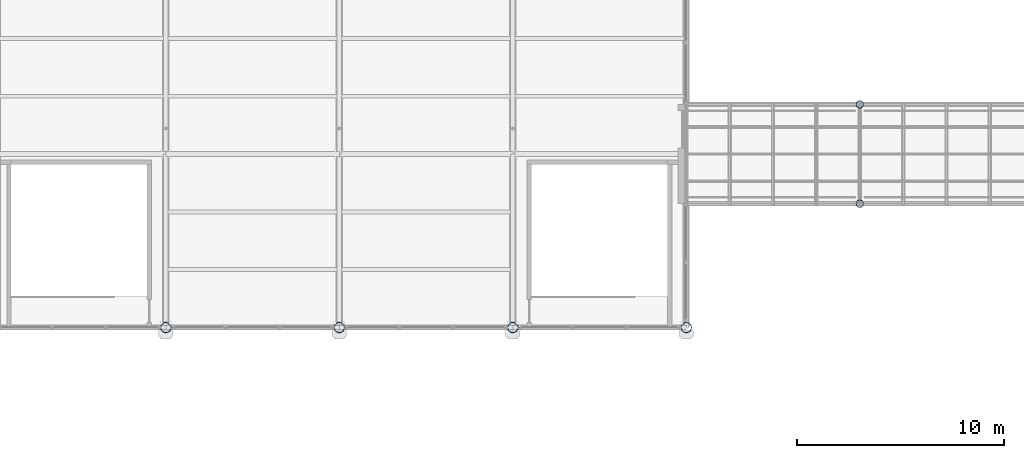
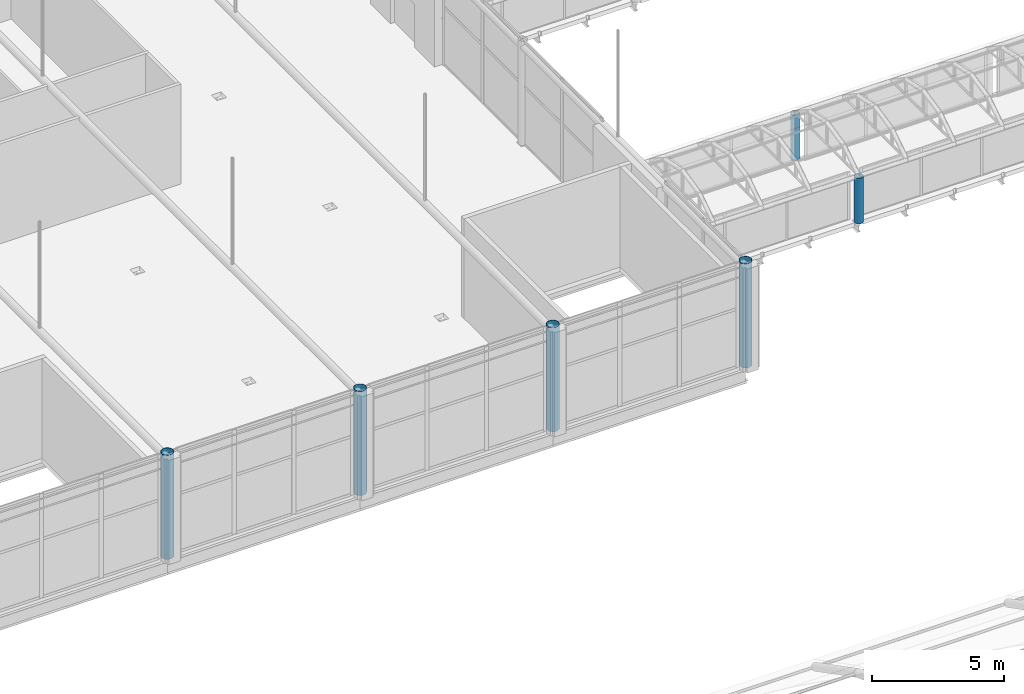
# One storey, part 2 of 167: 6 columns.
"""IFC4 building model written with IfcOpenShell, lengths in metres."""

from ifc_helpers import new_model, si_unit, direction, frame, origin, origin_2d, place, context, subcontext, project, spatial, hollow_circle, extrude, material, material_profile, profile_set, type_object, element, save


model = new_model("IFC4")

# Units and contexts
model_context = context("Model", 3, precision=1e-05, world=origin(), true_north=direction((0.0, 1.0)))
body_context = subcontext(model_context, "Body", "Model", "MODEL_VIEW")
ifc_project = project(units=[si_unit("LENGTHUNIT", "METRE"), si_unit("AREAUNIT", "SQUARE_METRE"), si_unit("VOLUMEUNIT", "CUBIC_METRE"), si_unit("PLANEANGLEUNIT", "RADIAN"), si_unit("MASSUNIT", "GRAM", prefix="KILO")], contexts=[model_context])

# Site, building, storey
site_placement = place(None, origin())
site = spatial("IfcSite", under=ifc_project, at=site_placement, CompositionType="ELEMENT")
building_placement = place(site_placement, origin())
building = spatial("IfcBuilding", under=site, at=building_placement, Name="Catenary Quay Ferry Terminal", CompositionType="ELEMENT")
storey_placement = place(building_placement, frame((0.0, 0.0, 6.0)))
storey = spatial("IfcBuildingStorey", under=building, at=storey_placement, Name="L01", CompositionType="ELEMENT", Elevation=6.0)

# Columns
ifc_material_1 = material(Name="Steel S355", Category="steel")
ifc_material_profile_1 = material_profile(ifc_material_1, hollow_circle(Radius=0.25390625, WallThickness=0.01611328125, at=origin_2d()), Name="CHS 508x16")
ifc_profile_set_1 = profile_set([ifc_material_profile_1], Name="Steel S355")
column_type_1 = type_object("IfcColumnType", Name="C4 CHS 508x16", PredefinedType="COLUMN", material=ifc_profile_set_1)
for number, where, z_axis, x_axis, name in (
    (1, (67.199951171875, 67.199951171875, 0.0), (0.0, 0.0, 1.0), (1.0, 0.0, 0.0), "Column C-I9 L01"),
    (2, (75.60009765625, 67.199951171875, 0.0), (0.0, 0.0, 1.0), (1.0, 0.0, 0.0), "Column C-J9 L01"),
    (3, (84.0, 67.199951171875, 0.0), (0.0, 0.0, 1.0), (1.0, 0.0, 0.0), "Column C-K9 L01"),
    (4, (92.39990234375, 67.199951171875, 0.0), (0.0, 0.0, 1.0), (1.0, 0.0, 0.0), "Column C-L9 L01"),
):
    element("IfcColumn", number, at=place(storey_placement, frame(where, z_axis=z_axis, x_axis=x_axis)), inside=storey, type_object=column_type_1, Name=name, PredefinedType="COLUMN", context=body_context, shape_type="SweptSolid", body=[
        extrude(hollow_circle(Radius=0.25390625, WallThickness=0.01611328125, at=origin_2d()), origin(), (0.0, 0.0, 1.0), 4.800048828125),
    ])
ifc_material_2 = material(Name="Steel S355", Category="steel")
ifc_material_profile_2 = material_profile(ifc_material_2, hollow_circle(Radius=0.177734375, WallThickness=0.012451171875, at=origin_2d()), Name="CHS 355.6x12.5")
ifc_profile_set_2 = profile_set([ifc_material_profile_2], Name="Steel S355")
column_type_2 = type_object("IfcColumnType", Name="C5 CHS 355.6x12.5", PredefinedType="COLUMN", material=ifc_profile_set_2)
for number, where, z_axis, x_axis, name in (
    (5, (100.800048828125, 73.199951171875, 0.0), (0.0, 0.0, 1.0), (1.0, 0.0, 0.0), "Column C-BB1SM L01"),
    (6, (100.800048828125, 78.0, 0.0), (0.0, 0.0, 1.0), (1.0, 0.0, 0.0), "Column C-BB1NM L01"),
):
    element("IfcColumn", number, at=place(storey_placement, frame(where, z_axis=z_axis, x_axis=x_axis)), inside=storey, type_object=column_type_2, Name=name, PredefinedType="COLUMN", context=body_context, shape_type="SweptSolid", body=[
        extrude(hollow_circle(Radius=0.177734375, WallThickness=0.012451171875, at=origin_2d()), origin(), (0.0, 0.0, 1.0), 2.10009765625),
    ])

save(model, "model.ifc")
